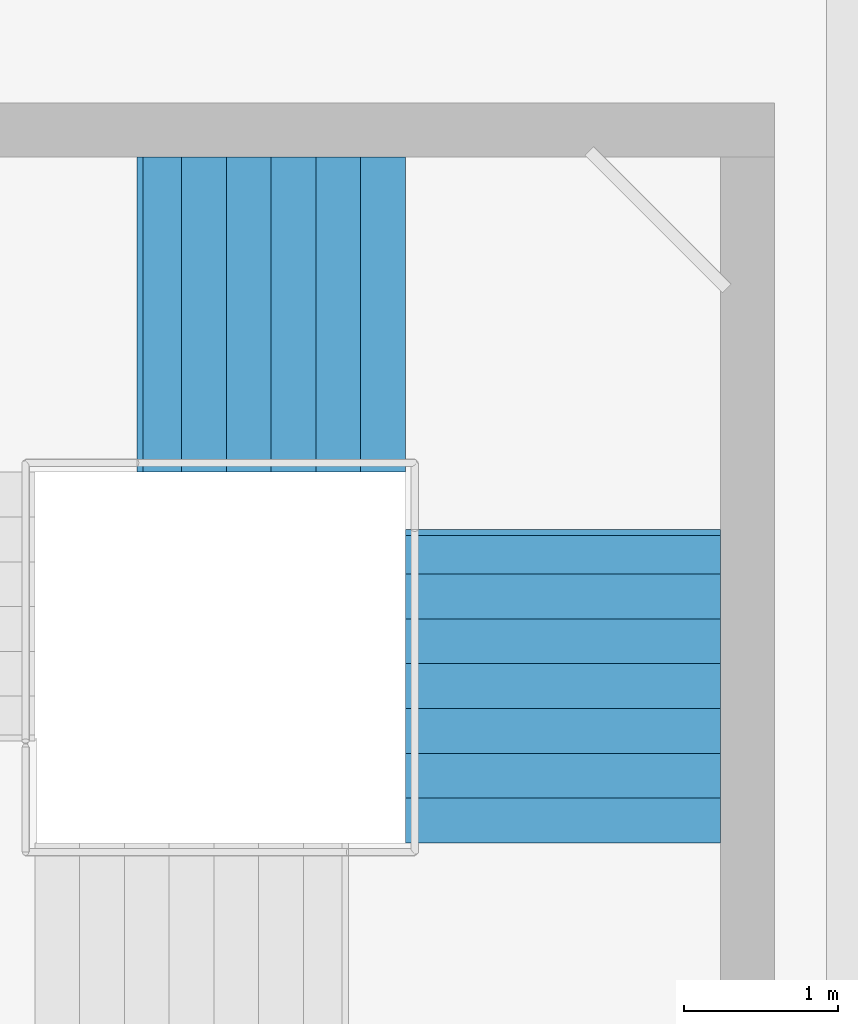
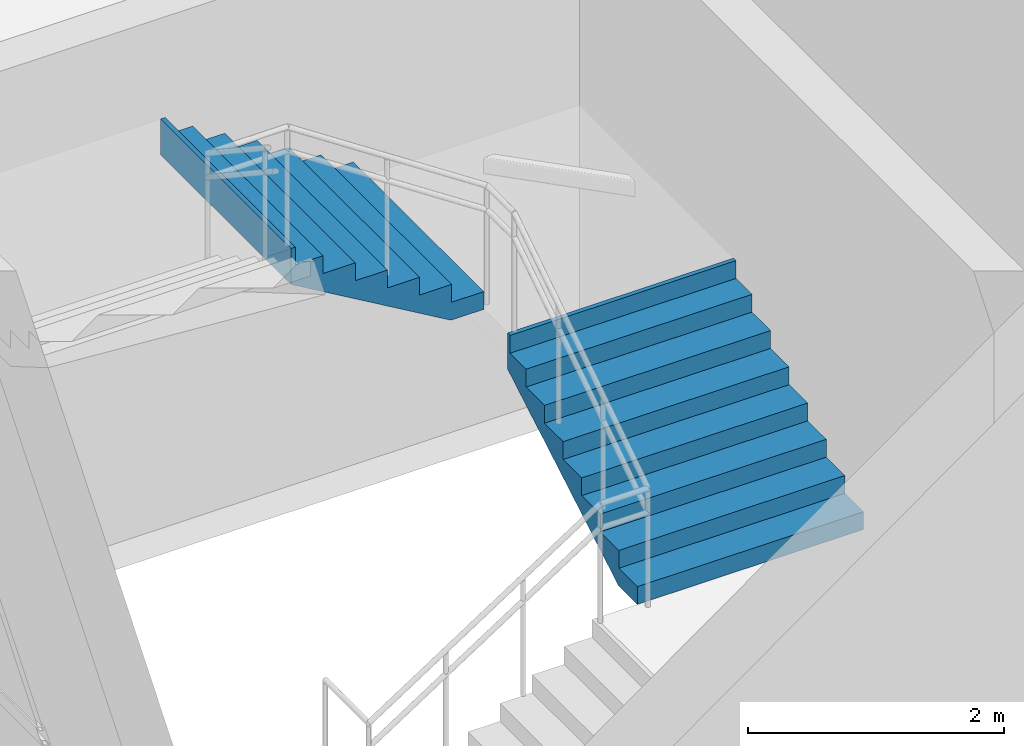
# One storey, part 62 of 66: 2 stair flights, 1 element without a shape of its own.
"""IFC4 building model written with IfcOpenShell, lengths in metres."""

from ifc_helpers import new_model, si_unit, direction, frame, origin, place, context, subcontext, project, spatial, triangles, material, type_object, element, aggregate, save


model = new_model("IFC4")

# Units and contexts
model_context = context("Model", 3, precision=1e-05, world=origin(), true_north=direction((0.0, 1.0)))
body_context = subcontext(model_context, "Body", "Model", "MODEL_VIEW")
ifc_project = project(units=[si_unit("LENGTHUNIT", "METRE"), si_unit("AREAUNIT", "SQUARE_METRE"), si_unit("VOLUMEUNIT", "CUBIC_METRE"), si_unit("PLANEANGLEUNIT", "RADIAN"), si_unit("MASSUNIT", "GRAM", prefix="KILO")], contexts=[model_context])

# Site, building, storey
site_placement = place(None, origin())
site = spatial("IfcSite", under=ifc_project, at=site_placement, CompositionType="ELEMENT")
building_placement = place(site_placement, origin())
building = spatial("IfcBuilding", under=site, at=building_placement, Name="Sillaruma Civic Art Gallery", CompositionType="ELEMENT")
storey_placement = place(building_placement, frame((0.0, 0.0, 57.1201171875)))
storey = spatial("IfcBuildingStorey", under=building, at=storey_placement, Name="L11", CompositionType="ELEMENT", Elevation=57.1201171875)

# Stair, stair flights
ifc_material = material(Name="Concrete H35 (35 MPa)", Category="concrete")
stair_type = type_object("IfcStairType", Name="STR-4F-30", PredefinedType="USERDEFINED", material=ifc_material)
stair_placement = place(storey_placement, origin())
stair = element("IfcStair", 1, at=stair_placement, inside=storey, type_object=stair_type, Name="Protected Exit Stair ST-04 (East Bar) (L11)", ObjectType="THREE_RETURN_STAIR", PredefinedType="USERDEFINED")
stair_flight_type_1 = type_object("IfcStairFlightType", Name="SFL-STR-7", PredefinedType="STRAIGHT", material=ifc_material)
stair_flight_1_placement = place(storey_placement, frame((103.300048828125, 56.669921875, 2.719970703125), z_axis=(0.0, 0.0, 1.0), x_axis=(-1.0, 0.0, 0.0)))
stair_flight_1 = element("IfcStairFlight", 2, at=stair_flight_1_placement, type_object=stair_flight_type_1, Name="ST-04 flight 3", NumberOfRisers=7, NumberOfTreads=6, PredefinedType="STRAIGHT", RiserHeight=0.17, TreadLength=0.29, context=body_context, shape_type="Tessellation", body=[
    triangles([(0.0, -1.02001953125, 0.0), (0.29, -1.02001953125, 0.0), (0.296404, -1.02001953125, 0.0), (0.58, -1.02001953125, 0.166246), (0.87, -1.02001953125, 0.336246), (1.16, -1.02001953125, 0.506246), (1.45, -1.02001953125, 0.676246), (1.69999, -1.02001953125, 0.822792), (1.73999, -1.02001953125, 0.84624), (1.73999, -1.02001953125, 1.19), (1.69999, -1.02001953125, 1.19), (1.69999, -1.02001953125, 1.02), (1.45, -1.02001953125, 1.02), (1.45, -1.02001953125, 0.85), (1.16, -1.02001953125, 0.85), (1.16, -1.02001953125, 0.68), (0.87, -1.02001953125, 0.68), (0.87, -1.02001953125, 0.51), (0.58, -1.02001953125, 0.51), (0.58, -1.02001953125, 0.34), (0.296404, -1.02001953125, 0.34), (0.29, -1.02001953125, 0.34), (0.29, -1.02001953125, 0.17), (0.0, -1.02001953125, 0.17), (0.0, -0.05, 0.0), (0.29, -0.05, 0.0), (0.296404, -0.05, 0.0), (0.58, -0.05, 0.166246), (0.87, -0.05, 0.336246), (1.16, -0.05, 0.506246), (1.45, -0.05, 0.676246), (1.69999, -0.05, 0.822792), (1.73999, -0.05, 0.84624), (1.73999, -0.05, 1.19), (1.69999, -0.05, 1.19), (1.69999, -0.05, 1.02), (1.45, -0.05, 1.02), (1.45, -0.05, 0.85), (1.16, -0.05, 0.85), (1.16, -0.05, 0.68), (0.87, -0.05, 0.68), (0.87, -0.05, 0.51), (0.58, -0.05, 0.51), (0.58, -0.05, 0.34), (0.296404, -0.05, 0.34), (0.29, -0.05, 0.34), (0.29, -0.05, 0.17), (0.0, -0.05, 0.17), (0.0, -0.0375, 0.0), (0.29, -0.0375, 0.0), (0.296404, -0.0375, 0.0), (0.58, -0.0375, 0.166246), (0.87, -0.0375, 0.336246), (1.16, -0.0375, 0.506246), (1.45, -0.0375, 0.676246), (1.69999, -0.0375, 0.822792), (1.73999, -0.0375, 0.84624), (1.73999, -0.0375, 1.19), (1.69999, -0.0375, 1.19), (1.69999, -0.0375, 1.02), (1.45, -0.0375, 1.02), (1.45, -0.0375, 0.85), (1.16, -0.0375, 0.85), (1.16, -0.0375, 0.68), (0.87, -0.0375, 0.68), (0.87, -0.0375, 0.51), (0.58, -0.0375, 0.51), (0.58, -0.0375, 0.34), (0.296404, -0.0375, 0.34), (0.29, -0.0375, 0.34), (0.29, -0.0375, 0.17), (0.0, -0.0375, 0.17), (0.0, -0.025, 0.0), (0.29, -0.025, 0.0), (0.296404, -0.025, 0.0), (0.58, -0.025, 0.166246), (0.87, -0.025, 0.336246), (1.16, -0.025, 0.506246), (1.45, -0.025, 0.676246), (1.69999, -0.025, 0.822792), (1.73999, -0.025, 0.84624), (1.73999, -0.025, 1.19), (1.69999, -0.025, 1.19), (1.69999, -0.025, 1.02), (1.45, -0.025, 1.02), (1.45, -0.025, 0.85), (1.16, -0.025, 0.85), (1.16, -0.025, 0.68), (0.87, -0.025, 0.68), (0.87, -0.025, 0.51), (0.58, -0.025, 0.51), (0.58, -0.025, 0.34), (0.296404, -0.025, 0.34), (0.29, -0.025, 0.34), (0.29, -0.025, 0.17), (0.0, -0.025, 0.17), (0.0, -0.0125, 0.0), (0.29, -0.0125, 0.0), (0.296404, -0.0125, 0.0), (0.58, -0.0125, 0.166246), (0.87, -0.0125, 0.336246), (1.16, -0.0125, 0.506246), (1.45, -0.0125, 0.676246), (1.69999, -0.0125, 0.822792), (1.73999, -0.0125, 0.84624), (1.73999, -0.0125, 1.19), (1.69999, -0.0125, 1.19), (1.69999, -0.0125, 1.02), (1.45, -0.0125, 1.02), (1.45, -0.0125, 0.85), (1.16, -0.0125, 0.85), (1.16, -0.0125, 0.68), (0.87, -0.0125, 0.68), (0.87, -0.0125, 0.51), (0.58, -0.0125, 0.51), (0.58, -0.0125, 0.34), (0.296404, -0.0125, 0.34), (0.29, -0.0125, 0.34), (0.29, -0.0125, 0.17), (0.0, -0.0125, 0.17), (0.0, 0.0, 0.0), (0.29, 0.0, 0.0), (0.296404, 0.0, 0.0), (0.58, 0.0, 0.166246), (0.87, 0.0, 0.336246), (1.16, 0.0, 0.506246), (1.45, 0.0, 0.676246), (1.69999, 0.0, 0.822792), (1.73999, 0.0, 0.84624), (1.73999, 0.0, 1.19), (1.69999, 0.0, 1.19), (1.69999, 0.0, 1.02), (1.45, 0.0, 1.02), (1.45, 0.0, 0.85), (1.16, 0.0, 0.85), (1.16, 0.0, 0.68), (0.87, 0.0, 0.68), (0.87, 0.0, 0.51), (0.58, 0.0, 0.51), (0.58, 0.0, 0.34), (0.296404, 0.0, 0.34), (0.29, 0.0, 0.34), (0.29, 0.0, 0.17), (0.0, 0.0, 0.17), (0.0, 0.0125, 0.0), (0.29, 0.0125, 0.0), (0.296404, 0.0125, 0.0), (0.58, 0.0125, 0.166246), (0.87, 0.0125, 0.336246), (1.16, 0.0125, 0.506246), (1.45, 0.0125, 0.676246), (1.69999, 0.0125, 0.822792), (1.73999, 0.0125, 0.84624), (1.73999, 0.0125, 1.19), (1.69999, 0.0125, 1.19), (1.69999, 0.0125, 1.02), (1.45, 0.0125, 1.02), (1.45, 0.0125, 0.85), (1.16, 0.0125, 0.85), (1.16, 0.0125, 0.68), (0.87, 0.0125, 0.68), (0.87, 0.0125, 0.51), (0.58, 0.0125, 0.51), (0.58, 0.0125, 0.34), (0.296404, 0.0125, 0.34), (0.29, 0.0125, 0.34), (0.29, 0.0125, 0.17), (0.0, 0.0125, 0.17), (0.0, 0.025, 0.0), (0.29, 0.025, 0.0), (0.296404, 0.025, 0.0), (0.58, 0.025, 0.166246), (0.87, 0.025, 0.336246), (1.16, 0.025, 0.506246), (1.45, 0.025, 0.676246), (1.69999, 0.025, 0.822792), (1.73999, 0.025, 0.84624), (1.73999, 0.025, 1.19), (1.69999, 0.025, 1.19), (1.69999, 0.025, 1.02), (1.45, 0.025, 1.02), (1.45, 0.025, 0.85), (1.16, 0.025, 0.85), (1.16, 0.025, 0.68), (0.87, 0.025, 0.68), (0.87, 0.025, 0.51), (0.58, 0.025, 0.51), (0.58, 0.025, 0.34), (0.296404, 0.025, 0.34), (0.29, 0.025, 0.34), (0.29, 0.025, 0.17), (0.0, 0.025, 0.17), (0.0, 0.0375, 0.0), (0.29, 0.0375, 0.0), (0.296404, 0.0375, 0.0), (0.58, 0.0375, 0.166246), (0.87, 0.0375, 0.336246), (1.16, 0.0375, 0.506246), (1.45, 0.0375, 0.676246), (1.69999, 0.0375, 0.822792), (1.73999, 0.0375, 0.84624), (1.73999, 0.0375, 1.19), (1.69999, 0.0375, 1.19), (1.69999, 0.0375, 1.02), (1.45, 0.0375, 1.02), (1.45, 0.0375, 0.85), (1.16, 0.0375, 0.85), (1.16, 0.0375, 0.68), (0.87, 0.0375, 0.68), (0.87, 0.0375, 0.51), (0.58, 0.0375, 0.51), (0.58, 0.0375, 0.34), (0.296404, 0.0375, 0.34), (0.29, 0.0375, 0.34), (0.29, 0.0375, 0.17), (0.0, 0.0375, 0.17), (0.0, 0.05, 0.0), (0.29, 0.05, 0.0), (0.296404, 0.05, 0.0), (0.58, 0.05, 0.166246), (0.87, 0.05, 0.336246), (1.16, 0.05, 0.506246), (1.45, 0.05, 0.676246), (1.69999, 0.05, 0.822792), (1.73999, 0.05, 0.84624), (1.73999, 0.05, 1.19), (1.69999, 0.05, 1.19), (1.69999, 0.05, 1.02), (1.45, 0.05, 1.02), (1.45, 0.05, 0.85), (1.16, 0.05, 0.85), (1.16, 0.05, 0.68), (0.87, 0.05, 0.68), (0.87, 0.05, 0.51), (0.58, 0.05, 0.51), (0.58, 0.05, 0.34), (0.296404, 0.05, 0.34), (0.29, 0.05, 0.34), (0.29, 0.05, 0.17), (0.0, 0.05, 0.17), (0.0, 1.02001953125, 0.0), (0.29, 1.02001953125, 0.0), (0.296404, 1.02001953125, 0.0), (0.58, 1.02001953125, 0.166246), (0.87, 1.02001953125, 0.336246), (1.16, 1.02001953125, 0.506246), (1.45, 1.02001953125, 0.676246), (1.69999, 1.02001953125, 0.822792), (1.73999, 1.02001953125, 0.84624), (1.73999, 1.02001953125, 1.19), (1.69999, 1.02001953125, 1.19), (1.69999, 1.02001953125, 1.02), (1.45, 1.02001953125, 1.02), (1.45, 1.02001953125, 0.85), (1.16, 1.02001953125, 0.85), (1.16, 1.02001953125, 0.68), (0.87, 1.02001953125, 0.68), (0.87, 1.02001953125, 0.51), (0.58, 1.02001953125, 0.51), (0.58, 1.02001953125, 0.34), (0.296404, 1.02001953125, 0.34), (0.29, 1.02001953125, 0.34), (0.29, 1.02001953125, 0.17), (0.0, 1.02001953125, 0.17)], [[1, 2, 23], [1, 23, 24], [2, 3, 21], [2, 21, 23], [23, 21, 22], [3, 4, 20], [3, 20, 21], [4, 5, 18], [4, 18, 20], [20, 18, 19], [5, 6, 16], [5, 16, 18], [18, 16, 17], [6, 7, 14], [6, 14, 16], [16, 14, 15], [7, 8, 12], [7, 12, 14], [14, 12, 13], [8, 9, 10], [8, 10, 12], [12, 10, 11], [263, 242, 241], [264, 263, 241], [261, 243, 242], [263, 261, 242], [262, 261, 263], [260, 244, 243], [261, 260, 243], [258, 245, 244], [260, 258, 244], [259, 258, 260], [256, 246, 245], [258, 256, 245], [257, 256, 258], [254, 247, 246], [256, 254, 246], [255, 254, 256], [252, 248, 247], [254, 252, 247], [253, 252, 254], [250, 249, 248], [252, 250, 248], [251, 250, 252], [2, 1, 25], [2, 25, 26], [3, 2, 26], [3, 26, 27], [4, 3, 27], [4, 27, 28], [5, 4, 28], [5, 28, 29], [6, 5, 29], [6, 29, 30], [7, 6, 30], [7, 30, 31], [8, 7, 31], [8, 31, 32], [9, 8, 32], [9, 32, 33], [10, 9, 33], [10, 33, 34], [11, 10, 34], [11, 34, 35], [12, 11, 35], [12, 35, 36], [13, 12, 36], [13, 36, 37], [14, 13, 37], [14, 37, 38], [15, 14, 38], [15, 38, 39], [16, 15, 39], [16, 39, 40], [17, 16, 40], [17, 40, 41], [18, 17, 41], [18, 41, 42], [19, 18, 42], [19, 42, 43], [20, 19, 43], [20, 43, 44], [21, 20, 44], [21, 44, 45], [22, 21, 45], [22, 45, 46], [23, 22, 46], [23, 46, 47], [24, 23, 47], [24, 47, 48], [1, 24, 48], [1, 48, 25], [26, 25, 49], [26, 49, 50], [27, 26, 50], [27, 50, 51], [28, 27, 51], [28, 51, 52], [29, 28, 52], [29, 52, 53], [30, 29, 53], [30, 53, 54], [31, 30, 54], [31, 54, 55], [32, 31, 55], [32, 55, 56], [33, 32, 56], [33, 56, 57], [34, 33, 57], [34, 57, 58], [35, 34, 58], [35, 58, 59], [36, 35, 59], [36, 59, 60], [37, 36, 60], [37, 60, 61], [38, 37, 61], [38, 61, 62], [39, 38, 62], [39, 62, 63], [40, 39, 63], [40, 63, 64], [41, 40, 64], [41, 64, 65], [42, 41, 65], [42, 65, 66], [43, 42, 66], [43, 66, 67], [44, 43, 67], [44, 67, 68], [45, 44, 68], [45, 68, 69], [46, 45, 69], [46, 69, 70], [47, 46, 70], [47, 70, 71], [48, 47, 71], [48, 71, 72], [25, 48, 72], [25, 72, 49], [50, 49, 73], [50, 73, 74], [51, 50, 74], [51, 74, 75], [52, 51, 75], [52, 75, 76], [53, 52, 76], [53, 76, 77], [54, 53, 77], [54, 77, 78], [55, 54, 78], [55, 78, 79], [56, 55, 79], [56, 79, 80], [57, 56, 80], [57, 80, 81], [58, 57, 81], [58, 81, 82], [59, 58, 82], [59, 82, 83], [60, 59, 83], [60, 83, 84], [61, 60, 84], [61, 84, 85], [62, 61, 85], [62, 85, 86], [63, 62, 86], [63, 86, 87], [64, 63, 87], [64, 87, 88], [65, 64, 88], [65, 88, 89], [66, 65, 89], [66, 89, 90], [67, 66, 90], [67, 90, 91], [68, 67, 91], [68, 91, 92], [69, 68, 92], [69, 92, 93], [70, 69, 93], [70, 93, 94], [71, 70, 94], [71, 94, 95], [72, 71, 95], [72, 95, 96], [49, 72, 96], [49, 96, 73], [74, 73, 97], [74, 97, 98], [75, 74, 98], [75, 98, 99], [76, 75, 99], [76, 99, 100], [77, 76, 100], [77, 100, 101], [78, 77, 101], [78, 101, 102], [79, 78, 102], [79, 102, 103], [80, 79, 103], [80, 103, 104], [81, 80, 104], [81, 104, 105], [82, 81, 105], [82, 105, 106], [83, 82, 106], [83, 106, 107], [84, 83, 107], [84, 107, 108], [85, 84, 108], [85, 108, 109], [86, 85, 109], [86, 109, 110], [87, 86, 110], [87, 110, 111], [88, 87, 111], [88, 111, 112], [89, 88, 112], [89, 112, 113], [90, 89, 113], [90, 113, 114], [91, 90, 114], [91, 114, 115], [92, 91, 115], [92, 115, 116], [93, 92, 116], [93, 116, 117], [94, 93, 117], [94, 117, 118], [95, 94, 118], [95, 118, 119], [96, 95, 119], [96, 119, 120], [73, 96, 120], [73, 120, 97], [98, 97, 121], [98, 121, 122], [99, 98, 122], [99, 122, 123], [100, 99, 123], [100, 123, 124], [101, 100, 124], [101, 124, 125], [102, 101, 125], [102, 125, 126], [103, 102, 126], [103, 126, 127], [104, 103, 127], [104, 127, 128], [105, 104, 128], [105, 128, 129], [106, 105, 129], [106, 129, 130], [107, 106, 130], [107, 130, 131], [108, 107, 131], [108, 131, 132], [109, 108, 132], [109, 132, 133], [110, 109, 133], [110, 133, 134], [111, 110, 134], [111, 134, 135], [112, 111, 135], [112, 135, 136], [113, 112, 136], [113, 136, 137], [114, 113, 137], [114, 137, 138], [115, 114, 138], [115, 138, 139], [116, 115, 139], [116, 139, 140], [117, 116, 140], [117, 140, 141], [118, 117, 141], [118, 141, 142], [119, 118, 142], [119, 142, 143], [120, 119, 143], [120, 143, 144], [97, 120, 144], [97, 144, 121], [122, 121, 145], [122, 145, 146], [123, 122, 146], [123, 146, 147], [124, 123, 147], [124, 147, 148], [125, 124, 148], [125, 148, 149], [126, 125, 149], [126, 149, 150], [127, 126, 150], [127, 150, 151], [128, 127, 151], [128, 151, 152], [129, 128, 152], [129, 152, 153], [130, 129, 153], [130, 153, 154], [131, 130, 154], [131, 154, 155], [132, 131, 155], [132, 155, 156], [133, 132, 156], [133, 156, 157], [134, 133, 157], [134, 157, 158], [135, 134, 158], [135, 158, 159], [136, 135, 159], [136, 159, 160], [137, 136, 160], [137, 160, 161], [138, 137, 161], [138, 161, 162], [139, 138, 162], [139, 162, 163], [140, 139, 163], [140, 163, 164], [141, 140, 164], [141, 164, 165], [142, 141, 165], [142, 165, 166], [143, 142, 166], [143, 166, 167], [144, 143, 167], [144, 167, 168], [121, 144, 168], [121, 168, 145], [146, 145, 169], [146, 169, 170], [147, 146, 170], [147, 170, 171], [148, 147, 171], [148, 171, 172], [149, 148, 172], [149, 172, 173], [150, 149, 173], [150, 173, 174], [151, 150, 174], [151, 174, 175], [152, 151, 175], [152, 175, 176], [153, 152, 176], [153, 176, 177], [154, 153, 177], [154, 177, 178], [155, 154, 178], [155, 178, 179], [156, 155, 179], [156, 179, 180], [157, 156, 180], [157, 180, 181], [158, 157, 181], [158, 181, 182], [159, 158, 182], [159, 182, 183], [160, 159, 183], [160, 183, 184], [161, 160, 184], [161, 184, 185], [162, 161, 185], [162, 185, 186], [163, 162, 186], [163, 186, 187], [164, 163, 187], [164, 187, 188], [165, 164, 188], [165, 188, 189], [166, 165, 189], [166, 189, 190], [167, 166, 190], [167, 190, 191], [168, 167, 191], [168, 191, 192], [145, 168, 192], [145, 192, 169], [170, 169, 193], [170, 193, 194], [171, 170, 194], [171, 194, 195], [172, 171, 195], [172, 195, 196], [173, 172, 196], [173, 196, 197], [174, 173, 197], [174, 197, 198], [175, 174, 198], [175, 198, 199], [176, 175, 199], [176, 199, 200], [177, 176, 200], [177, 200, 201], [178, 177, 201], [178, 201, 202], [179, 178, 202], [179, 202, 203], [180, 179, 203], [180, 203, 204], [181, 180, 204], [181, 204, 205], [182, 181, 205], [182, 205, 206], [183, 182, 206], [183, 206, 207], [184, 183, 207], [184, 207, 208], [185, 184, 208], [185, 208, 209], [186, 185, 209], [186, 209, 210], [187, 186, 210], [187, 210, 211], [188, 187, 211], [188, 211, 212], [189, 188, 212], [189, 212, 213], [190, 189, 213], [190, 213, 214], [191, 190, 214], [191, 214, 215], [192, 191, 215], [192, 215, 216], [169, 192, 216], [169, 216, 193], [194, 193, 217], [194, 217, 218], [195, 194, 218], [195, 218, 219], [196, 195, 219], [196, 219, 220], [197, 196, 220], [197, 220, 221], [198, 197, 221], [198, 221, 222], [199, 198, 222], [199, 222, 223], [200, 199, 223], [200, 223, 224], [201, 200, 224], [201, 224, 225], [202, 201, 225], [202, 225, 226], [203, 202, 226], [203, 226, 227], [204, 203, 227], [204, 227, 228], [205, 204, 228], [205, 228, 229], [206, 205, 229], [206, 229, 230], [207, 206, 230], [207, 230, 231], [208, 207, 231], [208, 231, 232], [209, 208, 232], [209, 232, 233], [210, 209, 233], [210, 233, 234], [211, 210, 234], [211, 234, 235], [212, 211, 235], [212, 235, 236], [213, 212, 236], [213, 236, 237], [214, 213, 237], [214, 237, 238], [215, 214, 238], [215, 238, 239], [216, 215, 239], [216, 239, 240], [193, 216, 240], [193, 240, 217], [218, 217, 241], [218, 241, 242], [219, 218, 242], [219, 242, 243], [220, 219, 243], [220, 243, 244], [221, 220, 244], [221, 244, 245], [222, 221, 245], [222, 245, 246], [223, 222, 246], [223, 246, 247], [224, 223, 247], [224, 247, 248], [225, 224, 248], [225, 248, 249], [226, 225, 249], [226, 249, 250], [227, 226, 250], [227, 250, 251], [228, 227, 251], [228, 251, 252], [229, 228, 252], [229, 252, 253], [230, 229, 253], [230, 253, 254], [231, 230, 254], [231, 254, 255], [232, 231, 255], [232, 255, 256], [233, 232, 256], [233, 256, 257], [234, 233, 257], [234, 257, 258], [235, 234, 258], [235, 258, 259], [236, 235, 259], [236, 259, 260], [237, 236, 260], [237, 260, 261], [238, 237, 261], [238, 261, 262], [239, 238, 262], [239, 262, 263], [240, 239, 263], [240, 263, 264], [217, 240, 264], [217, 264, 241]], closed=True),
])
stair_flight_type_2 = type_object("IfcStairFlightType", Name="SFL-STR-8", PredefinedType="STRAIGHT", material=ifc_material)
stair_flight_2_placement = place(storey_placement, frame((104.320068359375, 53.25, 1.35986328125), z_axis=(0.0, 0.0, 1.0), x_axis=(0.0, 1.0, 0.0)))
stair_flight_2 = element("IfcStairFlight", 3, at=stair_flight_2_placement, type_object=stair_flight_type_2, Name="ST-04 flight 2", NumberOfRisers=8, NumberOfTreads=7, PredefinedType="STRAIGHT", RiserHeight=0.17, TreadLength=0.29, context=body_context, shape_type="Tessellation", body=[
    triangles([(0.0, -1.02001953125, 0.0), (0.29, -1.02001953125, 0.0), (0.296443, -1.02001953125, 0.0), (0.58, -1.02001953125, 0.166223), (0.87, -1.02001953125, 0.336223), (1.16, -1.02001953125, 0.506223), (1.45, -1.02001953125, 0.676223), (1.74, -1.02001953125, 0.846223), (1.990029, -1.02001953125, 0.992792), (2.030029, -1.02001953125, 1.01624), (2.030029, -1.02001953125, 1.36), (1.990029, -1.02001953125, 1.36), (1.990029, -1.02001953125, 1.19), (1.74, -1.02001953125, 1.19), (1.74, -1.02001953125, 1.02), (1.45, -1.02001953125, 1.02), (1.45, -1.02001953125, 0.85), (1.16, -1.02001953125, 0.85), (1.16, -1.02001953125, 0.68), (0.87, -1.02001953125, 0.68), (0.87, -1.02001953125, 0.51), (0.58, -1.02001953125, 0.51), (0.58, -1.02001953125, 0.34), (0.296443, -1.02001953125, 0.34), (0.29, -1.02001953125, 0.34), (0.29, -1.02001953125, 0.17), (0.0, -1.02001953125, 0.17), (0.0, -0.05, 0.0), (0.29, -0.05, 0.0), (0.296443, -0.05, 0.0), (0.58, -0.05, 0.166223), (0.87, -0.05, 0.336223), (1.16, -0.05, 0.506223), (1.45, -0.05, 0.676223), (1.74, -0.05, 0.846223), (1.990029, -0.05, 0.992792), (2.030029, -0.05, 1.01624), (2.030029, -0.05, 1.36), (1.990029, -0.05, 1.36), (1.990029, -0.05, 1.19), (1.74, -0.05, 1.19), (1.74, -0.05, 1.02), (1.45, -0.05, 1.02), (1.45, -0.05, 0.85), (1.16, -0.05, 0.85), (1.16, -0.05, 0.68), (0.87, -0.05, 0.68), (0.87, -0.05, 0.51), (0.58, -0.05, 0.51), (0.58, -0.05, 0.34), (0.296443, -0.05, 0.34), (0.29, -0.05, 0.34), (0.29, -0.05, 0.17), (0.0, -0.05, 0.17), (0.0, -0.0375, 0.0), (0.29, -0.0375, 0.0), (0.296443, -0.0375, 0.0), (0.58, -0.0375, 0.166223), (0.87, -0.0375, 0.336223), (1.16, -0.0375, 0.506223), (1.45, -0.0375, 0.676223), (1.74, -0.0375, 0.846223), (1.990029, -0.0375, 0.992792), (2.030029, -0.0375, 1.01624), (2.030029, -0.0375, 1.36), (1.990029, -0.0375, 1.36), (1.990029, -0.0375, 1.19), (1.74, -0.0375, 1.19), (1.74, -0.0375, 1.02), (1.45, -0.0375, 1.02), (1.45, -0.0375, 0.85), (1.16, -0.0375, 0.85), (1.16, -0.0375, 0.68), (0.87, -0.0375, 0.68), (0.87, -0.0375, 0.51), (0.58, -0.0375, 0.51), (0.58, -0.0375, 0.34), (0.296443, -0.0375, 0.34), (0.29, -0.0375, 0.34), (0.29, -0.0375, 0.17), (0.0, -0.0375, 0.17), (0.0, -0.025, 0.0), (0.29, -0.025, 0.0), (0.296443, -0.025, 0.0), (0.58, -0.025, 0.166223), (0.87, -0.025, 0.336223), (1.16, -0.025, 0.506223), (1.45, -0.025, 0.676223), (1.74, -0.025, 0.846223), (1.990029, -0.025, 0.992792), (2.030029, -0.025, 1.01624), (2.030029, -0.025, 1.36), (1.990029, -0.025, 1.36), (1.990029, -0.025, 1.19), (1.74, -0.025, 1.19), (1.74, -0.025, 1.02), (1.45, -0.025, 1.02), (1.45, -0.025, 0.85), (1.16, -0.025, 0.85), (1.16, -0.025, 0.68), (0.87, -0.025, 0.68), (0.87, -0.025, 0.51), (0.58, -0.025, 0.51), (0.58, -0.025, 0.34), (0.296443, -0.025, 0.34), (0.29, -0.025, 0.34), (0.29, -0.025, 0.17), (0.0, -0.025, 0.17), (0.0, -0.0125, 0.0), (0.29, -0.0125, 0.0), (0.296443, -0.0125, 0.0), (0.58, -0.0125, 0.166223), (0.87, -0.0125, 0.336223), (1.16, -0.0125, 0.506223), (1.45, -0.0125, 0.676223), (1.74, -0.0125, 0.846223), (1.990029, -0.0125, 0.992792), (2.030029, -0.0125, 1.01624), (2.030029, -0.0125, 1.36), (1.990029, -0.0125, 1.36), (1.990029, -0.0125, 1.19), (1.74, -0.0125, 1.19), (1.74, -0.0125, 1.02), (1.45, -0.0125, 1.02), (1.45, -0.0125, 0.85), (1.16, -0.0125, 0.85), (1.16, -0.0125, 0.68), (0.87, -0.0125, 0.68), (0.87, -0.0125, 0.51), (0.58, -0.0125, 0.51), (0.58, -0.0125, 0.34), (0.296443, -0.0125, 0.34), (0.29, -0.0125, 0.34), (0.29, -0.0125, 0.17), (0.0, -0.0125, 0.17), (0.0, 0.0, 0.0), (0.29, 0.0, 0.0), (0.296443, 0.0, 0.0), (0.58, 0.0, 0.166223), (0.87, 0.0, 0.336223), (1.16, 0.0, 0.506223), (1.45, 0.0, 0.676223), (1.74, 0.0, 0.846223), (1.990029, 0.0, 0.992792), (2.030029, 0.0, 1.01624), (2.030029, 0.0, 1.36), (1.990029, 0.0, 1.36), (1.990029, 0.0, 1.19), (1.74, 0.0, 1.19), (1.74, 0.0, 1.02), (1.45, 0.0, 1.02), (1.45, 0.0, 0.85), (1.16, 0.0, 0.85), (1.16, 0.0, 0.68), (0.87, 0.0, 0.68), (0.87, 0.0, 0.51), (0.58, 0.0, 0.51), (0.58, 0.0, 0.34), (0.296443, 0.0, 0.34), (0.29, 0.0, 0.34), (0.29, 0.0, 0.17), (0.0, 0.0, 0.17), (0.0, 0.0125, 0.0), (0.29, 0.0125, 0.0), (0.296443, 0.0125, 0.0), (0.58, 0.0125, 0.166223), (0.87, 0.0125, 0.336223), (1.16, 0.0125, 0.506223), (1.45, 0.0125, 0.676223), (1.74, 0.0125, 0.846223), (1.990029, 0.0125, 0.992792), (2.030029, 0.0125, 1.01624), (2.030029, 0.0125, 1.36), (1.990029, 0.0125, 1.36), (1.990029, 0.0125, 1.19), (1.74, 0.0125, 1.19), (1.74, 0.0125, 1.02), (1.45, 0.0125, 1.02), (1.45, 0.0125, 0.85), (1.16, 0.0125, 0.85), (1.16, 0.0125, 0.68), (0.87, 0.0125, 0.68), (0.87, 0.0125, 0.51), (0.58, 0.0125, 0.51), (0.58, 0.0125, 0.34), (0.296443, 0.0125, 0.34), (0.29, 0.0125, 0.34), (0.29, 0.0125, 0.17), (0.0, 0.0125, 0.17), (0.0, 0.025, 0.0), (0.29, 0.025, 0.0), (0.296443, 0.025, 0.0), (0.58, 0.025, 0.166223), (0.87, 0.025, 0.336223), (1.16, 0.025, 0.506223), (1.45, 0.025, 0.676223), (1.74, 0.025, 0.846223), (1.990029, 0.025, 0.992792), (2.030029, 0.025, 1.01624), (2.030029, 0.025, 1.36), (1.990029, 0.025, 1.36), (1.990029, 0.025, 1.19), (1.74, 0.025, 1.19), (1.74, 0.025, 1.02), (1.45, 0.025, 1.02), (1.45, 0.025, 0.85), (1.16, 0.025, 0.85), (1.16, 0.025, 0.68), (0.87, 0.025, 0.68), (0.87, 0.025, 0.51), (0.58, 0.025, 0.51), (0.58, 0.025, 0.34), (0.296443, 0.025, 0.34), (0.29, 0.025, 0.34), (0.29, 0.025, 0.17), (0.0, 0.025, 0.17), (0.0, 0.0375, 0.0), (0.29, 0.0375, 0.0), (0.296443, 0.0375, 0.0), (0.58, 0.0375, 0.166223), (0.87, 0.0375, 0.336223), (1.16, 0.0375, 0.506223), (1.45, 0.0375, 0.676223), (1.74, 0.0375, 0.846223), (1.990029, 0.0375, 0.992792), (2.030029, 0.0375, 1.01624), (2.030029, 0.0375, 1.36), (1.990029, 0.0375, 1.36), (1.990029, 0.0375, 1.19), (1.74, 0.0375, 1.19), (1.74, 0.0375, 1.02), (1.45, 0.0375, 1.02), (1.45, 0.0375, 0.85), (1.16, 0.0375, 0.85), (1.16, 0.0375, 0.68), (0.87, 0.0375, 0.68), (0.87, 0.0375, 0.51), (0.58, 0.0375, 0.51), (0.58, 0.0375, 0.34), (0.296443, 0.0375, 0.34), (0.29, 0.0375, 0.34), (0.29, 0.0375, 0.17), (0.0, 0.0375, 0.17), (0.0, 0.05, 0.0), (0.29, 0.05, 0.0), (0.296443, 0.05, 0.0), (0.58, 0.05, 0.166223), (0.87, 0.05, 0.336223), (1.16, 0.05, 0.506223), (1.45, 0.05, 0.676223), (1.74, 0.05, 0.846223), (1.990029, 0.05, 0.992792), (2.030029, 0.05, 1.01624), (2.030029, 0.05, 1.36), (1.990029, 0.05, 1.36), (1.990029, 0.05, 1.19), (1.74, 0.05, 1.19), (1.74, 0.05, 1.02), (1.45, 0.05, 1.02), (1.45, 0.05, 0.85), (1.16, 0.05, 0.85), (1.16, 0.05, 0.68), (0.87, 0.05, 0.68), (0.87, 0.05, 0.51), (0.58, 0.05, 0.51), (0.58, 0.05, 0.34), (0.296443, 0.05, 0.34), (0.29, 0.05, 0.34), (0.29, 0.05, 0.17), (0.0, 0.05, 0.17), (0.0, 1.02001953125, 0.0), (0.29, 1.02001953125, 0.0), (0.296443, 1.02001953125, 0.0), (0.58, 1.02001953125, 0.166223), (0.87, 1.02001953125, 0.336223), (1.16, 1.02001953125, 0.506223), (1.45, 1.02001953125, 0.676223), (1.74, 1.02001953125, 0.846223), (1.990029, 1.02001953125, 0.992792), (2.030029, 1.02001953125, 1.01624), (2.030029, 1.02001953125, 1.36), (1.990029, 1.02001953125, 1.36), (1.990029, 1.02001953125, 1.19), (1.74, 1.02001953125, 1.19), (1.74, 1.02001953125, 1.02), (1.45, 1.02001953125, 1.02), (1.45, 1.02001953125, 0.85), (1.16, 1.02001953125, 0.85), (1.16, 1.02001953125, 0.68), (0.87, 1.02001953125, 0.68), (0.87, 1.02001953125, 0.51), (0.58, 1.02001953125, 0.51), (0.58, 1.02001953125, 0.34), (0.296443, 1.02001953125, 0.34), (0.29, 1.02001953125, 0.34), (0.29, 1.02001953125, 0.17), (0.0, 1.02001953125, 0.17)], [[1, 2, 26], [1, 26, 27], [2, 3, 24], [2, 24, 26], [26, 24, 25], [3, 4, 23], [3, 23, 24], [4, 5, 21], [4, 21, 23], [23, 21, 22], [5, 6, 19], [5, 19, 21], [21, 19, 20], [6, 7, 17], [6, 17, 19], [19, 17, 18], [7, 8, 15], [7, 15, 17], [17, 15, 16], [8, 9, 13], [8, 13, 15], [15, 13, 14], [9, 10, 11], [9, 11, 13], [13, 11, 12], [296, 272, 271], [297, 296, 271], [294, 273, 272], [296, 294, 272], [295, 294, 296], [293, 274, 273], [294, 293, 273], [291, 275, 274], [293, 291, 274], [292, 291, 293], [289, 276, 275], [291, 289, 275], [290, 289, 291], [287, 277, 276], [289, 287, 276], [288, 287, 289], [285, 278, 277], [287, 285, 277], [286, 285, 287], [283, 279, 278], [285, 283, 278], [284, 283, 285], [281, 280, 279], [283, 281, 279], [282, 281, 283], [2, 1, 28], [2, 28, 29], [3, 2, 29], [3, 29, 30], [4, 3, 30], [4, 30, 31], [5, 4, 31], [5, 31, 32], [6, 5, 32], [6, 32, 33], [7, 6, 33], [7, 33, 34], [8, 7, 34], [8, 34, 35], [9, 8, 35], [9, 35, 36], [10, 9, 36], [10, 36, 37], [11, 10, 37], [11, 37, 38], [12, 11, 38], [12, 38, 39], [13, 12, 39], [13, 39, 40], [14, 13, 40], [14, 40, 41], [15, 14, 41], [15, 41, 42], [16, 15, 42], [16, 42, 43], [17, 16, 43], [17, 43, 44], [18, 17, 44], [18, 44, 45], [19, 18, 45], [19, 45, 46], [20, 19, 46], [20, 46, 47], [21, 20, 47], [21, 47, 48], [22, 21, 48], [22, 48, 49], [23, 22, 49], [23, 49, 50], [24, 23, 50], [24, 50, 51], [25, 24, 51], [25, 51, 52], [26, 25, 52], [26, 52, 53], [27, 26, 53], [27, 53, 54], [1, 27, 54], [1, 54, 28], [29, 28, 55], [29, 55, 56], [30, 29, 56], [30, 56, 57], [31, 30, 57], [31, 57, 58], [32, 31, 58], [32, 58, 59], [33, 32, 59], [33, 59, 60], [34, 33, 60], [34, 60, 61], [35, 34, 61], [35, 61, 62], [36, 35, 62], [36, 62, 63], [37, 36, 63], [37, 63, 64], [38, 37, 64], [38, 64, 65], [39, 38, 65], [39, 65, 66], [40, 39, 66], [40, 66, 67], [41, 40, 67], [41, 67, 68], [42, 41, 68], [42, 68, 69], [43, 42, 69], [43, 69, 70], [44, 43, 70], [44, 70, 71], [45, 44, 71], [45, 71, 72], [46, 45, 72], [46, 72, 73], [47, 46, 73], [47, 73, 74], [48, 47, 74], [48, 74, 75], [49, 48, 75], [49, 75, 76], [50, 49, 76], [50, 76, 77], [51, 50, 77], [51, 77, 78], [52, 51, 78], [52, 78, 79], [53, 52, 79], [53, 79, 80], [54, 53, 80], [54, 80, 81], [28, 54, 81], [28, 81, 55], [56, 55, 82], [56, 82, 83], [57, 56, 83], [57, 83, 84], [58, 57, 84], [58, 84, 85], [59, 58, 85], [59, 85, 86], [60, 59, 86], [60, 86, 87], [61, 60, 87], [61, 87, 88], [62, 61, 88], [62, 88, 89], [63, 62, 89], [63, 89, 90], [64, 63, 90], [64, 90, 91], [65, 64, 91], [65, 91, 92], [66, 65, 92], [66, 92, 93], [67, 66, 93], [67, 93, 94], [68, 67, 94], [68, 94, 95], [69, 68, 95], [69, 95, 96], [70, 69, 96], [70, 96, 97], [71, 70, 97], [71, 97, 98], [72, 71, 98], [72, 98, 99], [73, 72, 99], [73, 99, 100], [74, 73, 100], [74, 100, 101], [75, 74, 101], [75, 101, 102], [76, 75, 102], [76, 102, 103], [77, 76, 103], [77, 103, 104], [78, 77, 104], [78, 104, 105], [79, 78, 105], [79, 105, 106], [80, 79, 106], [80, 106, 107], [81, 80, 107], [81, 107, 108], [55, 81, 108], [55, 108, 82], [83, 82, 109], [83, 109, 110], [84, 83, 110], [84, 110, 111], [85, 84, 111], [85, 111, 112], [86, 85, 112], [86, 112, 113], [87, 86, 113], [87, 113, 114], [88, 87, 114], [88, 114, 115], [89, 88, 115], [89, 115, 116], [90, 89, 116], [90, 116, 117], [91, 90, 117], [91, 117, 118], [92, 91, 118], [92, 118, 119], [93, 92, 119], [93, 119, 120], [94, 93, 120], [94, 120, 121], [95, 94, 121], [95, 121, 122], [96, 95, 122], [96, 122, 123], [97, 96, 123], [97, 123, 124], [98, 97, 124], [98, 124, 125], [99, 98, 125], [99, 125, 126], [100, 99, 126], [100, 126, 127], [101, 100, 127], [101, 127, 128], [102, 101, 128], [102, 128, 129], [103, 102, 129], [103, 129, 130], [104, 103, 130], [104, 130, 131], [105, 104, 131], [105, 131, 132], [106, 105, 132], [106, 132, 133], [107, 106, 133], [107, 133, 134], [108, 107, 134], [108, 134, 135], [82, 108, 135], [82, 135, 109], [110, 109, 136], [110, 136, 137], [111, 110, 137], [111, 137, 138], [112, 111, 138], [112, 138, 139], [113, 112, 139], [113, 139, 140], [114, 113, 140], [114, 140, 141], [115, 114, 141], [115, 141, 142], [116, 115, 142], [116, 142, 143], [117, 116, 143], [117, 143, 144], [118, 117, 144], [118, 144, 145], [119, 118, 145], [119, 145, 146], [120, 119, 146], [120, 146, 147], [121, 120, 147], [121, 147, 148], [122, 121, 148], [122, 148, 149], [123, 122, 149], [123, 149, 150], [124, 123, 150], [124, 150, 151], [125, 124, 151], [125, 151, 152], [126, 125, 152], [126, 152, 153], [127, 126, 153], [127, 153, 154], [128, 127, 154], [128, 154, 155], [129, 128, 155], [129, 155, 156], [130, 129, 156], [130, 156, 157], [131, 130, 157], [131, 157, 158], [132, 131, 158], [132, 158, 159], [133, 132, 159], [133, 159, 160], [134, 133, 160], [134, 160, 161], [135, 134, 161], [135, 161, 162], [109, 135, 162], [109, 162, 136], [137, 136, 163], [137, 163, 164], [138, 137, 164], [138, 164, 165], [139, 138, 165], [139, 165, 166], [140, 139, 166], [140, 166, 167], [141, 140, 167], [141, 167, 168], [142, 141, 168], [142, 168, 169], [143, 142, 169], [143, 169, 170], [144, 143, 170], [144, 170, 171], [145, 144, 171], [145, 171, 172], [146, 145, 172], [146, 172, 173], [147, 146, 173], [147, 173, 174], [148, 147, 174], [148, 174, 175], [149, 148, 175], [149, 175, 176], [150, 149, 176], [150, 176, 177], [151, 150, 177], [151, 177, 178], [152, 151, 178], [152, 178, 179], [153, 152, 179], [153, 179, 180], [154, 153, 180], [154, 180, 181], [155, 154, 181], [155, 181, 182], [156, 155, 182], [156, 182, 183], [157, 156, 183], [157, 183, 184], [158, 157, 184], [158, 184, 185], [159, 158, 185], [159, 185, 186], [160, 159, 186], [160, 186, 187], [161, 160, 187], [161, 187, 188], [162, 161, 188], [162, 188, 189], [136, 162, 189], [136, 189, 163], [164, 163, 190], [164, 190, 191], [165, 164, 191], [165, 191, 192], [166, 165, 192], [166, 192, 193], [167, 166, 193], [167, 193, 194], [168, 167, 194], [168, 194, 195], [169, 168, 195], [169, 195, 196], [170, 169, 196], [170, 196, 197], [171, 170, 197], [171, 197, 198], [172, 171, 198], [172, 198, 199], [173, 172, 199], [173, 199, 200], [174, 173, 200], [174, 200, 201], [175, 174, 201], [175, 201, 202], [176, 175, 202], [176, 202, 203], [177, 176, 203], [177, 203, 204], [178, 177, 204], [178, 204, 205], [179, 178, 205], [179, 205, 206], [180, 179, 206], [180, 206, 207], [181, 180, 207], [181, 207, 208], [182, 181, 208], [182, 208, 209], [183, 182, 209], [183, 209, 210], [184, 183, 210], [184, 210, 211], [185, 184, 211], [185, 211, 212], [186, 185, 212], [186, 212, 213], [187, 186, 213], [187, 213, 214], [188, 187, 214], [188, 214, 215], [189, 188, 215], [189, 215, 216], [163, 189, 216], [163, 216, 190], [191, 190, 217], [191, 217, 218], [192, 191, 218], [192, 218, 219], [193, 192, 219], [193, 219, 220], [194, 193, 220], [194, 220, 221], [195, 194, 221], [195, 221, 222], [196, 195, 222], [196, 222, 223], [197, 196, 223], [197, 223, 224], [198, 197, 224], [198, 224, 225], [199, 198, 225], [199, 225, 226], [200, 199, 226], [200, 226, 227], [201, 200, 227], [201, 227, 228], [202, 201, 228], [202, 228, 229], [203, 202, 229], [203, 229, 230], [204, 203, 230], [204, 230, 231], [205, 204, 231], [205, 231, 232], [206, 205, 232], [206, 232, 233], [207, 206, 233], [207, 233, 234], [208, 207, 234], [208, 234, 235], [209, 208, 235], [209, 235, 236], [210, 209, 236], [210, 236, 237], [211, 210, 237], [211, 237, 238], [212, 211, 238], [212, 238, 239], [213, 212, 239], [213, 239, 240], [214, 213, 240], [214, 240, 241], [215, 214, 241], [215, 241, 242], [216, 215, 242], [216, 242, 243], [190, 216, 243], [190, 243, 217], [218, 217, 244], [218, 244, 245], [219, 218, 245], [219, 245, 246], [220, 219, 246], [220, 246, 247], [221, 220, 247], [221, 247, 248], [222, 221, 248], [222, 248, 249], [223, 222, 249], [223, 249, 250], [224, 223, 250], [224, 250, 251], [225, 224, 251], [225, 251, 252], [226, 225, 252], [226, 252, 253], [227, 226, 253], [227, 253, 254], [228, 227, 254], [228, 254, 255], [229, 228, 255], [229, 255, 256], [230, 229, 256], [230, 256, 257], [231, 230, 257], [231, 257, 258], [232, 231, 258], [232, 258, 259], [233, 232, 259], [233, 259, 260], [234, 233, 260], [234, 260, 261], [235, 234, 261], [235, 261, 262], [236, 235, 262], [236, 262, 263], [237, 236, 263], [237, 263, 264], [238, 237, 264], [238, 264, 265], [239, 238, 265], [239, 265, 266], [240, 239, 266], [240, 266, 267], [241, 240, 267], [241, 267, 268], [242, 241, 268], [242, 268, 269], [243, 242, 269], [243, 269, 270], [217, 243, 270], [217, 270, 244], [245, 244, 271], [245, 271, 272], [246, 245, 272], [246, 272, 273], [247, 246, 273], [247, 273, 274], [248, 247, 274], [248, 274, 275], [249, 248, 275], [249, 275, 276], [250, 249, 276], [250, 276, 277], [251, 250, 277], [251, 277, 278], [252, 251, 278], [252, 278, 279], [253, 252, 279], [253, 279, 280], [254, 253, 280], [254, 280, 281], [255, 254, 281], [255, 281, 282], [256, 255, 282], [256, 282, 283], [257, 256, 283], [257, 283, 284], [258, 257, 284], [258, 284, 285], [259, 258, 285], [259, 285, 286], [260, 259, 286], [260, 286, 287], [261, 260, 287], [261, 287, 288], [262, 261, 288], [262, 288, 289], [263, 262, 289], [263, 289, 290], [264, 263, 290], [264, 290, 291], [265, 264, 291], [265, 291, 292], [266, 265, 292], [266, 292, 293], [267, 266, 293], [267, 293, 294], [268, 267, 294], [268, 294, 295], [269, 268, 295], [269, 295, 296], [270, 269, 296], [270, 296, 297], [244, 270, 297], [244, 297, 271]], closed=True),
])
aggregate(stair, [stair_flight_2, stair_flight_1])

save(model, "model.ifc")
